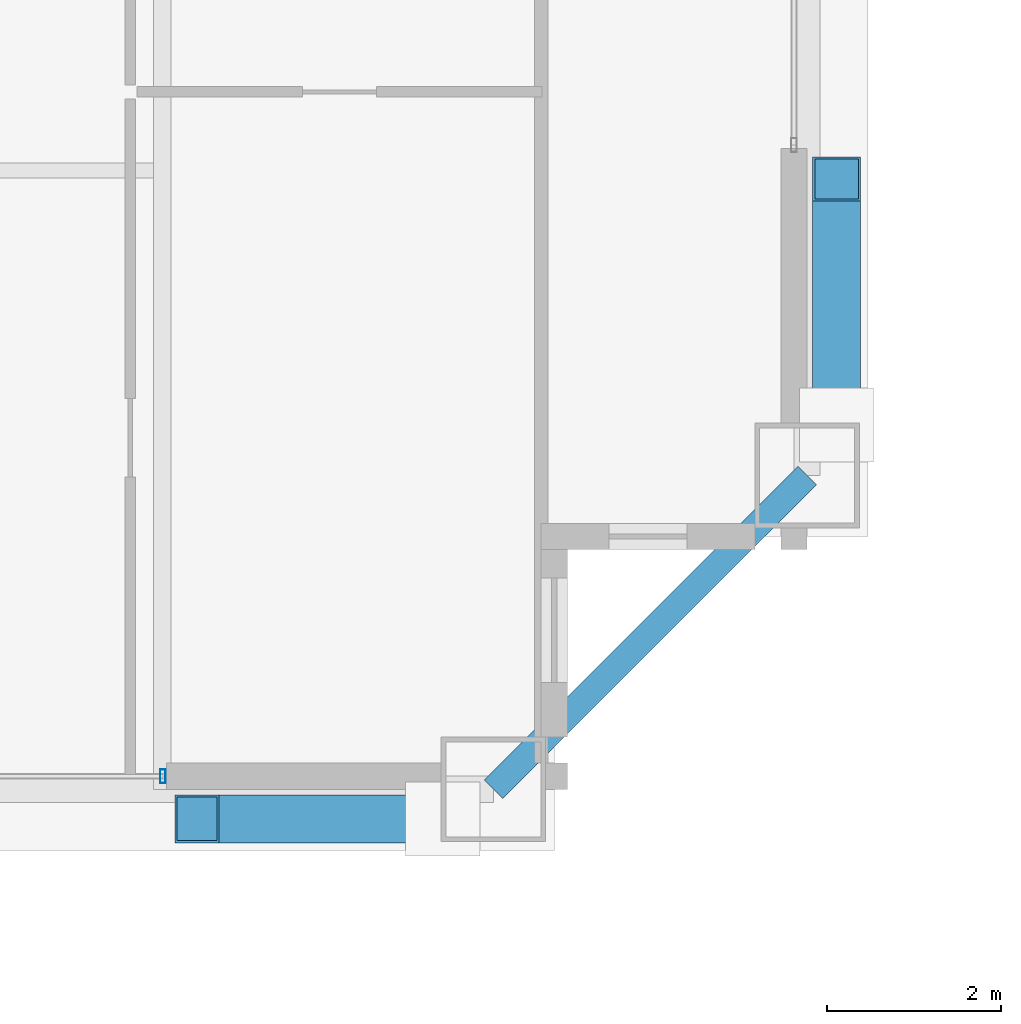
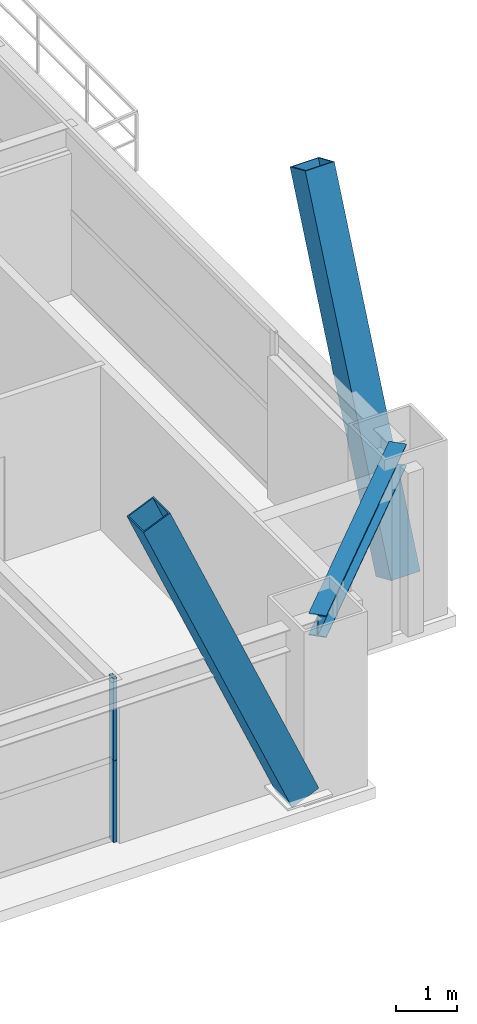
# One storey, part 15 of 37: 4 members, 1 beam, 1 element without a shape of its own.
"""IFC4 building model written with IfcOpenShell, lengths in metres."""

from ifc_helpers import new_model, si_unit, direction, frame, origin, origin_2d, place, context, subcontext, project, spatial, hollow_rectangle, i_section, extrude, source, transform, mapped, material, layer, layer_set, material_profile, profile_set, type_object, element, aggregate, save


model = new_model("IFC4")

# Units and contexts
model_context = context("Model", 3, precision=1e-05, world=origin(), true_north=direction((0.0, 1.0)))
body_context = subcontext(model_context, "Body", "Model", "MODEL_VIEW")
ifc_project = project(units=[si_unit("LENGTHUNIT", "METRE"), si_unit("AREAUNIT", "SQUARE_METRE"), si_unit("VOLUMEUNIT", "CUBIC_METRE"), si_unit("PLANEANGLEUNIT", "RADIAN"), si_unit("MASSUNIT", "GRAM", prefix="KILO"), si_unit("THERMODYNAMICTEMPERATUREUNIT", "KELVIN"), si_unit("POWERUNIT", "WATT")], contexts=[model_context])

# Site, building, storey
site_placement = place(None, origin())
site = spatial("IfcSite", under=ifc_project, at=site_placement, CompositionType="ELEMENT")
building_placement = place(site_placement, origin())
building = spatial("IfcBuilding", under=site, at=building_placement, Name="Yuzanri Waterfront Tower", CompositionType="ELEMENT")
storey_placement = place(building_placement, frame((0.0, 0.0, 278.60009765625)))
storey = spatial("IfcBuildingStorey", under=building, at=storey_placement, Name="L74", CompositionType="ELEMENT", Elevation=278.60009765625)

# Beam
ifc_material_1 = material(Name="Steel Q355B", Category="steel")
ifc_material_profile_1 = material_profile(ifc_material_1, i_section(OverallWidth=0.300048828125, OverallDepth=0.43994140625, WebThickness=0.010986328125, FlangeThickness=0.01806640625, at=origin_2d()), Name="HM 440x300x11x18")
ifc_profile_set_1 = profile_set([ifc_material_profile_1], Name="Steel Q355B")
beam_type = type_object("IfcBeamType", Name="Perimeter Spandrel Q355B HM 440x300", PredefinedType="SPANDREL", material=ifc_profile_set_1)
shared_shape_1 = source(origin(), body_context, "Body", "SweptSolid", [
    extrude(i_section(OverallWidth=0.300048828125, OverallDepth=0.43994140625, WebThickness=0.010986328125, FlangeThickness=0.01806640625, at=origin_2d()), origin(), (0.0, 0.0, 1.0), 5.09130859375),
])
beam_placement = place(storey_placement, frame((54.0, 5.199951171875, 3.059814453125), z_axis=(0.707106781187, 0.707106781187, 0.0), x_axis=(-0.707106781187, 0.707106781187, 0.0)))
element("IfcBeam", 1, at=beam_placement, inside=storey, type_object=beam_type, Name="L74 Perimeter Spandrel S3-E1", PredefinedType="SPANDREL", context=body_context, shape_type="MappedRepresentation", body=[
    mapped(shared_shape_1, transform((0.0, 0.0, 0.0), scale=1.0)),
])

# Members
ifc_material_2 = material(Name="Steel Q390GJC", Category="steel")
ifc_material_profile_2 = material_profile(ifc_material_2, hollow_rectangle(XDim=0.550048828125, YDim=0.550048828125, WallThickness=0.02490234375, at=origin_2d()), Name="RHS 550x550x25")
ifc_profile_set_2 = profile_set([ifc_material_profile_2], Name="Steel Q390GJC")
member_type_1 = type_object("IfcMemberType", Name="Mega Brace Mid Q390GJC RHS 550x550x25", PredefinedType="BRACE", material=ifc_profile_set_2)
shared_shape_2 = source(origin(), body_context, "Body", "SweptSolid", [
    extrude(hollow_rectangle(XDim=0.550048828125, YDim=0.550048828125, WallThickness=0.02490234375, at=origin_2d()), origin(), (0.0, 0.0, 1.0), 7.085205078125),
])
member_1_placement = place(storey_placement, frame((53.419921875, 4.860107421875, 0.179931640625), z_axis=(-0.397982599681, 0.0, 0.917392963975), x_axis=(0.0, -1.0, 0.0)))
element("IfcMember", 2, at=member_1_placement, inside=storey, type_object=member_type_1, Name="L74-L75 Perimeter Mega-Brace S-R", PredefinedType="BRACE", context=body_context, shape_type="MappedRepresentation", body=[
    mapped(shared_shape_2, transform((0.0, 0.0, 0.0), scale=1.0)),
])
shared_shape_3 = source(origin(), body_context, "Body", "SweptSolid", [
    extrude(hollow_rectangle(XDim=0.550048828125, YDim=0.550048828125, WallThickness=0.02490234375, at=origin_2d()), origin(), (0.0, 0.0, 1.0), 7.08544921875),
])
member_2_placement = place(storey_placement, frame((57.93994140625, 9.3798828125, 0.179931640625), z_axis=(0.0, 0.398011598745, 0.917380383082), x_axis=(-1.0, 0.0, 0.0)))
element("IfcMember", 3, at=member_2_placement, inside=storey, type_object=member_type_1, Name="L74-L75 Perimeter Mega-Brace E-L", PredefinedType="BRACE", context=body_context, shape_type="MappedRepresentation", body=[
    mapped(shared_shape_3, transform((0.0, 0.0, 0.0), scale=1.0)),
])

# Curtain wall, members
ifc_material_3 = material(Name="Anodized Architectural Bronze", Category="metal")
ifc_layer = layer(ifc_material_3, 0.159912109375)
ifc_layer_set = layer_set([ifc_layer], Name="Anodized Architectural Bronze")
curtain_wall_type = type_object("IfcCurtainWallType", Name="Anodized Bronze Mid-Rise Residential Acoustic Unitized Curtain Wall 7200", PredefinedType="NOTDEFINED", material=ifc_layer_set)
curtain_wall_placement = place(storey_placement, origin())
curtain_wall = element("IfcCurtainWall", 4, at=curtain_wall_placement, inside=storey, type_object=curtain_wall_type, Name="L74 Curtain Wall CW-L74-SR2", PredefinedType="NOTDEFINED")
ifc_material_4 = material(Name="Anodized Architectural Bronze", Category="metal")
ifc_material_profile_3 = material_profile(ifc_material_4, hollow_rectangle(XDim=0.06494140625, YDim=0.159912109375, WallThickness=0.00341796875, at=origin_2d()), Name="CWM 65x160")
ifc_profile_set_3 = profile_set([ifc_material_profile_3], Name="Anodized Architectural Bronze")
member_type_2 = type_object("IfcMemberType", Name="Anodized Bronze Upper-Zone Curtain-Wall Mullion 65x160", PredefinedType="MULLION", material=ifc_profile_set_3)
shared_shape_4 = source(origin(), body_context, "Body", "SweptSolid", [
    extrude(hollow_rectangle(XDim=0.06494140625, YDim=0.159912109375, WallThickness=0.00341796875, at=origin_2d()), origin(), (0.0, 0.0, 1.0), 1.637939453125),
])
member_3_placement = place(storey_placement, frame((50.2099609375, 5.35009765625, 0.0), z_axis=(0.0, 0.0, 1.0), x_axis=(1.0, 0.0, 0.0)))
member_3 = element("IfcMember", 5, at=member_3_placement, type_object=member_type_2, Name="CW-L74-SR2 Lower Mullion 01", PredefinedType="MULLION", context=body_context, shape_type="MappedRepresentation", body=[
    mapped(shared_shape_4, transform((0.0, 0.0, 0.0), scale=1.0)),
])
member_4_placement = place(storey_placement, frame((50.2099609375, 5.35009765625, 1.641845703125), z_axis=(0.0, 0.0, 1.0), x_axis=(1.0, 0.0, 0.0)))
member_4 = element("IfcMember", 6, at=member_4_placement, type_object=member_type_2, Name="CW-L74-SR2 Upper Mullion 01", PredefinedType="MULLION", context=body_context, shape_type="MappedRepresentation", body=[
    mapped(shared_shape_4, transform((0.0, 0.0, 0.0), scale=1.0)),
])
aggregate(curtain_wall, [member_3, member_4])

save(model, "model.ifc")
